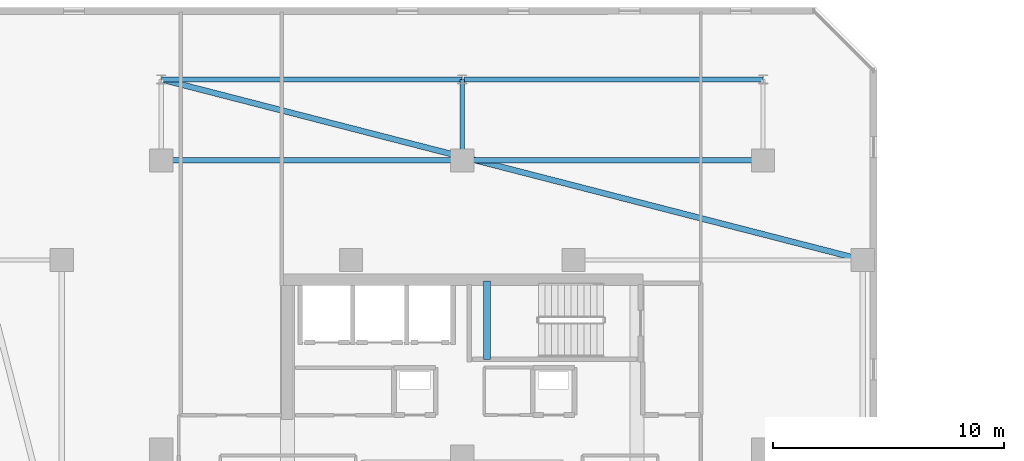
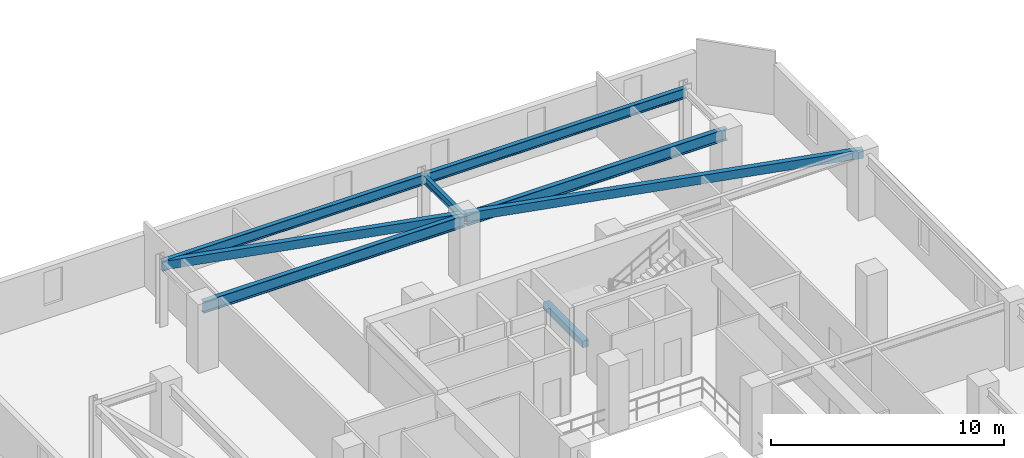
# One storey, part 8 of 33: 7 beams.
"""IFC4 building model written with IfcOpenShell, lengths in metres."""

from ifc_helpers import new_model, si_unit, direction, frame, origin, origin_2d, place, context, subcontext, project, spatial, rectangle, hollow_rectangle, i_section, extrude, material, material_profile, profile_set, type_object, element, save


model = new_model("IFC4")

# Units and contexts
model_context = context("Model", 3, precision=1e-05, world=origin(), true_north=direction((0.0, 1.0)))
body_context = subcontext(model_context, "Body", "Model", "MODEL_VIEW")
ifc_project = project(units=[si_unit("LENGTHUNIT", "METRE"), si_unit("AREAUNIT", "SQUARE_METRE"), si_unit("VOLUMEUNIT", "CUBIC_METRE"), si_unit("PLANEANGLEUNIT", "RADIAN"), si_unit("MASSUNIT", "GRAM", prefix="KILO")], contexts=[model_context])

# Site, building, storey
site_placement = place(None, origin())
site = spatial("IfcSite", under=ifc_project, at=site_placement, CompositionType="ELEMENT")
building_placement = place(site_placement, origin())
building = spatial("IfcBuilding", under=site, at=building_placement, Name="Thornwick Lancets Civic Towers", CompositionType="ELEMENT")
storey_placement = place(building_placement, frame((0.0, 0.0, 207.300048828125)))
storey = spatial("IfcBuildingStorey", under=building, at=storey_placement, Name="L55", CompositionType="ELEMENT", Elevation=207.300048828125)

# Beams
ifc_material_1 = material(Name="Steel S355JR", Category="steel")
ifc_material_profile_1 = material_profile(ifc_material_1, i_section(OverallWidth=0.210693359375, OverallDepth=0.53955078125, WebThickness=0.01171875, FlangeThickness=0.018798828125, FilletRadius=0.0126953125, at=origin_2d()), Name="UKB 533x210x109")
ifc_profile_set_1 = profile_set([ifc_material_profile_1], Name="Steel S355JR")
beam_type_1 = type_object("IfcBeamType", Name="BM_EDGE_533_109", PredefinedType="SPANDREL", material=ifc_profile_set_1)
beam_1_placement = place(storey_placement, frame((12.5, 47.800048828125, 3.09033203125), z_axis=(1.0, 0.0, 0.0), x_axis=(0.0, 1.0, 0.0)))
element("IfcBeam", 1, at=beam_1_placement, inside=storey, type_object=beam_type_1, Name="BM-EDGE-L55-A-S2-1", PredefinedType="SPANDREL", context=body_context, shape_type="SweptSolid", body=[
    extrude(i_section(OverallWidth=0.210693359375, OverallDepth=0.53955078125, WebThickness=0.01171875, FlangeThickness=0.018798828125, FilletRadius=0.0126953125, at=origin_2d()), origin(), (0.0, 0.0, 1.0), 13.0),
])
beam_2_placement = place(storey_placement, frame((25.580078125, 47.800048828125, 3.09033203125), z_axis=(1.0, 0.0, 0.0), x_axis=(0.0, 1.0, 0.0)))
element("IfcBeam", 2, at=beam_2_placement, inside=storey, type_object=beam_type_1, Name="BM-EDGE-L55-A-S2-2", PredefinedType="SPANDREL", context=body_context, shape_type="SweptSolid", body=[
    extrude(i_section(OverallWidth=0.210693359375, OverallDepth=0.53955078125, WebThickness=0.01171875, FlangeThickness=0.018798828125, FilletRadius=0.0126953125, at=origin_2d()), origin(), (0.0, 0.0, 1.0), 12.919921875),
])
ifc_material_profile_2 = material_profile(ifc_material_1, i_section(OverallWidth=0.230224609375, OverallDepth=0.6171875, WebThickness=0.01318359375, FlangeThickness=0.022216796875, FilletRadius=0.0126953125, at=origin_2d()), Name="UKB 610x229x140")
ifc_profile_set_2 = profile_set([ifc_material_profile_2], Name="Steel S355JR")
beam_type_2 = type_object("IfcBeamType", Name="BM_GIRD_610_140", PredefinedType="BEAM", material=ifc_profile_set_2)
beam_3_placement = place(storey_placement, frame((12.5, 44.300048828125, 3.05126953125), z_axis=(1.0, 0.0, 0.0), x_axis=(0.0, 1.0, 0.0)))
element("IfcBeam", 3, at=beam_3_placement, inside=storey, type_object=beam_type_2, Name="BM-SPINE-L55-A-6-7", PredefinedType="BEAM", context=body_context, shape_type="SweptSolid", body=[
    extrude(i_section(OverallWidth=0.230224609375, OverallDepth=0.6171875, WebThickness=0.01318359375, FlangeThickness=0.022216796875, FilletRadius=0.0126953125, at=origin_2d()), origin(), (0.0, 0.0, 1.0), 13.0),
])
beam_4_placement = place(storey_placement, frame((25.580078125, 44.300048828125, 3.05126953125), z_axis=(1.0, 0.0, 0.0), x_axis=(0.0, 1.0, 0.0)))
element("IfcBeam", 4, at=beam_4_placement, inside=storey, type_object=beam_type_2, Name="BM-SPINE-L55-A-7-8", PredefinedType="BEAM", context=body_context, shape_type="SweptSolid", body=[
    extrude(i_section(OverallWidth=0.230224609375, OverallDepth=0.6171875, WebThickness=0.01318359375, FlangeThickness=0.022216796875, FilletRadius=0.0126953125, at=origin_2d()), origin(), (0.0, 0.0, 1.0), 12.919921875),
])
ifc_material_profile_3 = material_profile(ifc_material_1, i_section(OverallWidth=0.179443359375, OverallDepth=0.412841796875, WebThickness=0.009521484375, FlangeThickness=0.01611328125, FilletRadius=0.01025390625, at=origin_2d()), Name="UKB 406x178x74")
ifc_profile_set_3 = profile_set([ifc_material_profile_3], Name="Steel S355JR")
beam_type_3 = type_object("IfcBeamType", Name="BM_JOIST_406_74", PredefinedType="JOIST", material=ifc_profile_set_3)
beam_5_placement = place(storey_placement, frame((25.5, 44.300048828125, 3.153564453125), z_axis=(0.0, 1.0, 0.0), x_axis=(-1.0, 0.0, 0.0)))
element("IfcBeam", 5, at=beam_5_placement, inside=storey, type_object=beam_type_3, Name="BM-RAD-L55-A08", PredefinedType="JOIST", context=body_context, shape_type="SweptSolid", body=[
    extrude(i_section(OverallWidth=0.179443359375, OverallDepth=0.412841796875, WebThickness=0.009521484375, FlangeThickness=0.01611328125, FilletRadius=0.01025390625, at=origin_2d()), origin(), (0.0, 0.0, 1.0), 3.5),
])
ifc_material_profile_4 = material_profile(ifc_material_1, hollow_rectangle(XDim=0.25, YDim=0.449951171875, WallThickness=0.01611328125, at=origin_2d()), Name="RHS 450x250x16")
ifc_profile_set_4 = profile_set([ifc_material_profile_4], Name="Steel S355JR")
beam_type_4 = type_object("IfcBeamType", Name="BM_RING_RHS450", PredefinedType="BEAM", material=ifc_profile_set_4)
beam_6_placement = place(storey_placement, frame((42.800048828125, 40.0, 3.135009765625), z_axis=(-0.96842654257, 0.249299080716, 0.0), x_axis=(-0.249299080716, -0.96842654257, 0.0)))
element("IfcBeam", 6, at=beam_6_placement, inside=storey, type_object=beam_type_4, Name="BM-CHAMF-L55-A-C1", PredefinedType="BEAM", context=body_context, shape_type="SweptSolid", body=[
    extrude(hollow_rectangle(XDim=0.25, YDim=0.449951171875, WallThickness=0.01611328125, at=origin_2d()), origin(), (0.0, 0.0, 1.0), 31.287841796875),
])
ifc_material_2 = material(Name="Concrete C40/50", Category="concrete")
ifc_material_profile_5 = material_profile(ifc_material_2, rectangle(XDim=0.300048828125, YDim=0.35009765625, at=origin_2d()), Name="RC 300x350")
ifc_profile_set_5 = profile_set([ifc_material_profile_5], Name="Concrete C40/50")
beam_type_5 = type_object("IfcBeamType", Name="BM_STAIR_LDG", PredefinedType="BEAM", material=ifc_profile_set_5)
beam_7_placement = place(storey_placement, frame((26.56494140625, 39.10009765625, 1.3779296875), z_axis=(0.0, -1.0, 0.0), x_axis=(1.0, 0.0, 0.0)))
element("IfcBeam", 7, at=beam_7_placement, inside=storey, type_object=beam_type_5, Name="L55 ST-A2 Landing Support Beam 1", PredefinedType="BEAM", context=body_context, shape_type="SweptSolid", body=[
    extrude(rectangle(XDim=0.300048828125, YDim=0.35009765625, at=origin_2d()), origin(), (0.0, 0.0, 1.0), 3.400146484375),
])

save(model, "model.ifc")
